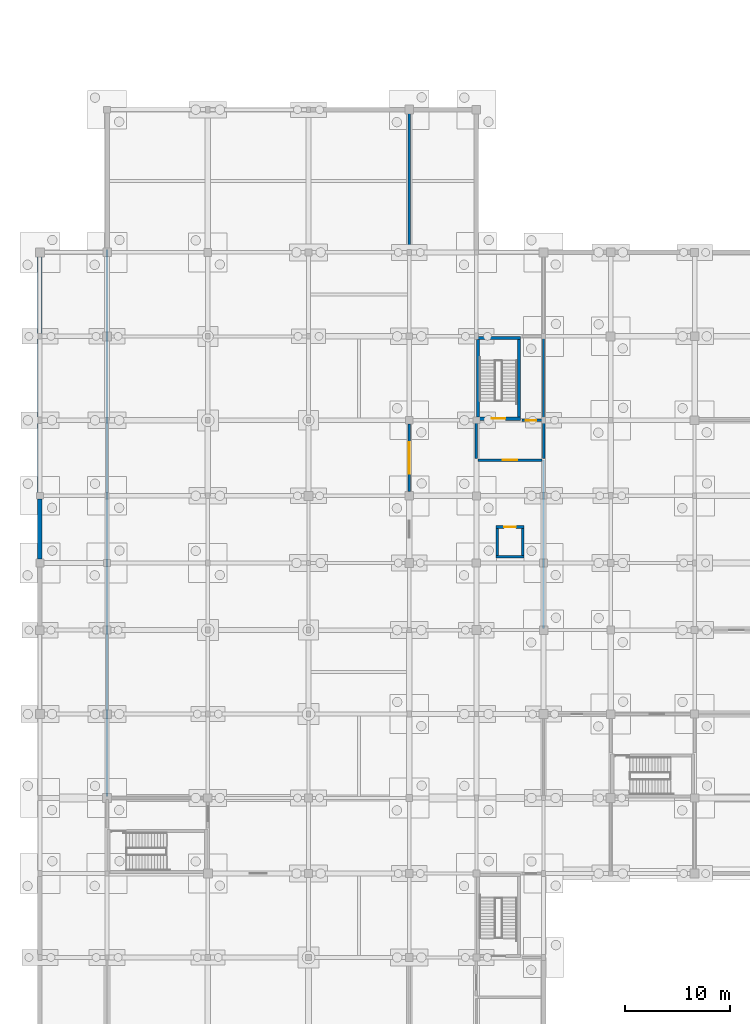
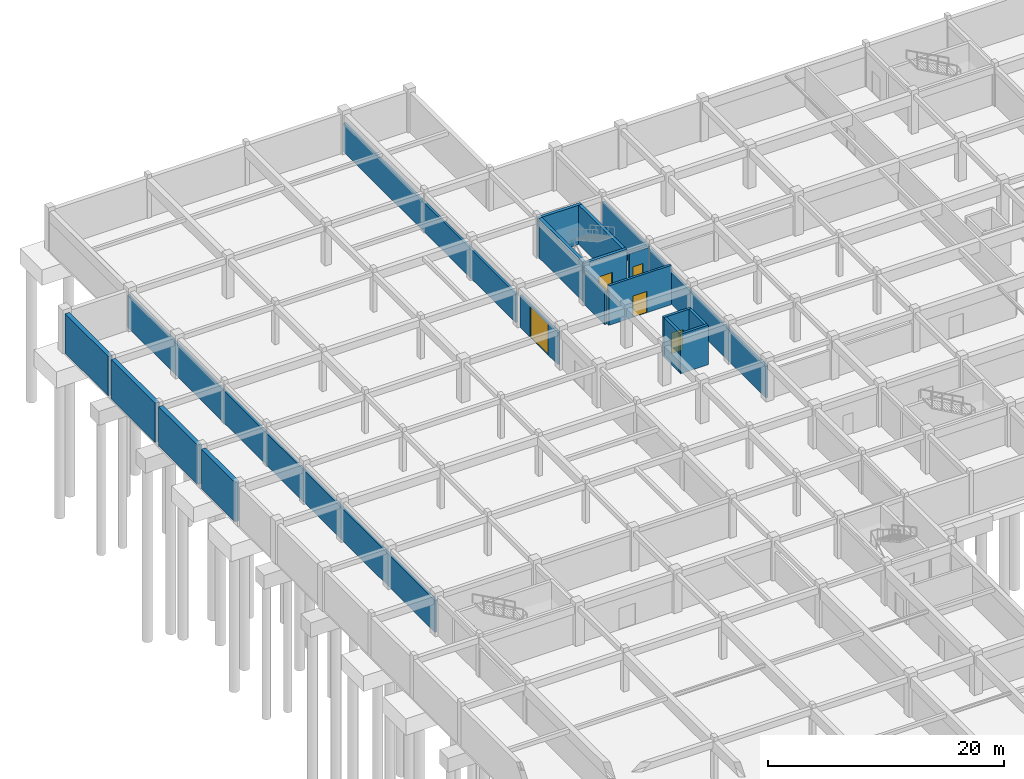
# One storey, part 20 of 28: 21 walls, 5 doors, 5 openings.
"""IFC4 building model written with IfcOpenShell, lengths in metres."""

from ifc_helpers import new_model, si_unit, direction, frame, frame_2d, origin, place, context, subcontext, project, spatial, rectangle, extrude, material, layer, layer_set, type_object, element, fill, save


model = new_model("IFC4")

# Units and contexts
model_context = context("Model", 3, precision=1e-05, world=origin(), true_north=direction((0.0, 1.0)))
body_context = subcontext(model_context, "Body", "Model", "MODEL_VIEW")
ifc_project = project(units=[si_unit("LENGTHUNIT", "METRE"), si_unit("AREAUNIT", "SQUARE_METRE"), si_unit("VOLUMEUNIT", "CUBIC_METRE"), si_unit("PLANEANGLEUNIT", "RADIAN"), si_unit("MASSUNIT", "GRAM", prefix="KILO")], contexts=[model_context])

# Site, building, storey
site_placement = place(None, origin())
site = spatial("IfcSite", under=ifc_project, at=site_placement, CompositionType="ELEMENT")
building_placement = place(site_placement, origin())
building = spatial("IfcBuilding", under=site, at=building_placement, Name="Vellmiral Cinema and Media Centre", CompositionType="ELEMENT")
storey_placement = place(building_placement, frame((0.0, 0.0, -4.5)))
storey = spatial("IfcBuildingStorey", under=building, at=storey_placement, Name="B1", CompositionType="ELEMENT", Elevation=-4.5)

# Walls
ifc_material_1 = material(Name="Concrete C30/37", Category="concrete")
ifc_layer_1 = layer(ifc_material_1, 0.419921875, Name="Concrete C30/37")
ifc_layer_set_1 = layer_set([ifc_layer_1], Name="Concrete C30/37")
wall_type_1 = type_object("IfcWallType", Name="WL-B1-RET-420", PredefinedType="SOLIDWALL", material=ifc_layer_set_1)
wall_1_placement = place(storey_placement, frame((0.0, 94.77490234375, 0.0), z_axis=(0.0, 0.0, 1.0), x_axis=(0.0, -1.0, 0.0)))
element("IfcWall", 1, at=wall_1_placement, inside=storey, type_object=wall_type_1, Name="Basement Retaining Wall B1-069", PredefinedType="SOLIDWALL", context=body_context, shape_type="SweptSolid", body=[
    extrude(rectangle(XDim=7.324951171875, YDim=0.419921875, at=frame_2d((3.66259765625, 0.0))), origin(), (0.0, 0.0, 1.0), 4.080078125),
])
wall_2_placement = place(storey_placement, frame((0.0, 86.949951171875, 0.0), z_axis=(0.0, 0.0, 1.0), x_axis=(0.0, -1.0, 0.0)))
element("IfcWall", 2, at=wall_2_placement, inside=storey, type_object=wall_type_1, Name="Basement Retaining Wall B1-070", PredefinedType="SOLIDWALL", context=body_context, shape_type="SweptSolid", body=[
    extrude(rectangle(XDim=7.449951171875, YDim=0.419921875, at=frame_2d((3.72509765625, 0.0))), origin(), (0.0, 0.0, 1.0), 4.080078125),
])
wall_3_placement = place(storey_placement, frame((0.0, 78.89990234375, 0.0), z_axis=(0.0, 0.0, 1.0), x_axis=(0.0, -1.0, 0.0)))
element("IfcWall", 3, at=wall_3_placement, inside=storey, type_object=wall_type_1, Name="Basement Retaining Wall B1-071", PredefinedType="SOLIDWALL", context=body_context, shape_type="SweptSolid", body=[
    extrude(rectangle(XDim=6.574951171875, YDim=0.419921875, at=frame_2d((3.28759765625, 0.0))), origin(), (0.0, 0.0, 1.0), 4.080078125),
])
wall_4_placement = place(storey_placement, frame((0.0, 71.675048828125, 0.0), z_axis=(0.0, 0.0, 1.0), x_axis=(0.0, -1.0, 0.0)))
element("IfcWall", 4, at=wall_4_placement, inside=storey, type_object=wall_type_1, Name="Basement Retaining Wall B1-072", PredefinedType="SOLIDWALL", context=body_context, shape_type="SweptSolid", body=[
    extrude(rectangle(XDim=5.699951171875, YDim=0.419921875, at=frame_2d((2.85009765625, 0.0))), origin(), (0.0, 0.0, 1.0), 4.080078125),
])
ifc_material_2 = material(Name="Concrete C40/50", Category="concrete")
ifc_layer_2 = layer(ifc_material_2, 0.2099609375, Name="Concrete C40/50")
ifc_layer_set_2 = layer_set([ifc_layer_2], Name="Concrete C40/50")
wall_type_2 = type_object("IfcWallType", Name="WL-COMP-210", PredefinedType="SOLIDWALL", material=ifc_layer_set_2)
wall_5_placement = place(storey_placement, frame((48.0, 79.340087890625, 0.0), z_axis=(0.0, 0.0, 1.0), x_axis=(0.0, 1.0, 0.0)))
element("IfcWall", 5, at=wall_5_placement, inside=storey, type_object=wall_type_2, Name="North-West Core Smoke Riser Room Wall E", PredefinedType="SOLIDWALL", context=body_context, shape_type="SweptSolid", body=[
    extrude(rectangle(XDim=7.719970703125, YDim=0.2099609375, at=frame_2d((3.85986328125, 0.0))), origin(), (0.0, 0.0, 1.0), 3.52490234375),
])
wall_6_placement = place(storey_placement, frame((6.39990234375, 43.340087890625, 0.0), z_axis=(0.0, 0.0, 1.0), x_axis=(0.0, 1.0, 0.0)))
element("IfcWall", 6, at=wall_6_placement, inside=storey, type_object=wall_type_2, Name="Car Park Drive Aisle North-West Wall W", PredefinedType="SOLIDWALL", context=body_context, shape_type="SweptSolid", body=[
    extrude(rectangle(XDim=52.119873046875, YDim=0.2099609375, at=frame_2d((26.06005859375, 0.0))), origin(), (0.0, 0.0, 1.0), 3.324951171875),
])
wall_7_placement = place(storey_placement, frame((48.0, 59.340087890625, 0.0), z_axis=(0.0, 0.0, 1.0), x_axis=(0.0, 1.0, 0.0)))
element("IfcWall", 7, at=wall_7_placement, inside=storey, type_object=wall_type_2, Name="Climate-Controlled Film Archive Vault Wall W", PredefinedType="SOLIDWALL", context=body_context, shape_type="SweptSolid", body=[
    extrude(rectangle(XDim=16.059814453125, YDim=0.2099609375, at=frame_2d((8.02978515625, 0.0))), origin(), (0.0, 0.0, 1.0), 3.27490234375),
])

# Wall, opening, door
wall_8_placement = place(storey_placement, frame((35.199951171875, 72.39990234375, 0.0), z_axis=(0.0, 0.0, 1.0), x_axis=(0.0, 1.0, 0.0)))
wall_8 = element("IfcWall", 8, at=wall_8_placement, inside=storey, type_object=wall_type_2, Name="Car Park Drive Aisle North-West Wall E", PredefinedType="SOLIDWALL", context=body_context, shape_type="SweptSolid", body=[
    extrude(rectangle(XDim=6.425048828125, YDim=0.2099609375, at=frame_2d((3.21240234375, 0.0))), origin(), (0.0, 0.0, 1.0), 3.324951171875),
])
opening_1_placement = place(wall_8_placement, frame((1.699951171875, 0.0, 0.0)))
opening_1 = element("IfcOpeningElement", 9, at=opening_1_placement, cuts=wall_8, Name="Opening DG-01", PredefinedType="OPENING", context=body_context, shape_type="SweptSolid", body=[
    extrude(rectangle(XDim=3.0, YDim=3.199951171875, at=frame_2d((1.5, 1.60009765625))), frame((0.0, 0.116943359375, 0.0), z_axis=(0.0, -1.0, 0.0), x_axis=(1.0, 0.0, 0.0)), (0.0, 0.0, 1.0), 0.23388671875),
])
ifc_material_3 = material(Name="Thermally Broken Glazed Aluminium and Bronze Door", Category="aluminium")
door_type_1 = type_object("IfcDoorType", Name="DR-DOCK-3000x3200", OperationType="ROLLINGUP", PredefinedType="GATE", material=ifc_material_3)
door_1_placement = place(opening_1_placement, frame((3.0, 0.0, 0.0), z_axis=(0.0, 0.0, 1.0), x_axis=(-1.0, 0.0, 0.0)))
door_1 = element("IfcDoor", 10, at=door_1_placement, inside=storey, type_object=door_type_1, Name="Basement Vehicle Car Park Entry Gate", OperationType="ROLLINGUP", OverallHeight=3.199951171875, OverallWidth=3.0, PredefinedType="GATE", context=body_context, shape_type="SweptSolid", body=[
    extrude(rectangle(XDim=3.0, YDim=3.199951171875, at=frame_2d((1.5, 1.60009765625))), frame((0.0, 0.02490234375, 0.0), z_axis=(0.0, -1.0, 0.0), x_axis=(1.0, 0.0, 0.0)), (0.0, 0.0, 1.0), 0.050048828125),
])
fill(opening_1, door_1)

# Wall
wall_9_placement = place(storey_placement, frame((35.199951171875, 79.574951171875, 0.0), z_axis=(0.0, 0.0, 1.0), x_axis=(0.0, 1.0, 0.0)))
element("IfcWall", 11, at=wall_9_placement, inside=storey, type_object=wall_type_2, Name="Car Park Drive Aisle North-West Wall E", PredefinedType="SOLIDWALL", context=body_context, shape_type="SweptSolid", body=[
    extrude(rectangle(XDim=29.1201171875, YDim=0.2099609375, at=frame_2d((14.56005859375, 0.0))), origin(), (0.0, 0.0, 1.0), 3.02490234375),
])

# Wall, opening, door
ifc_material_4 = material(Name="Concrete C40/50", Category="concrete")
ifc_layer_3 = layer(ifc_material_4, 0.300048828125, Name="Concrete C40/50")
ifc_layer_set_3 = layer_set([ifc_layer_3], Name="Concrete C40/50")
wall_type_3 = type_object("IfcWallType", Name="WL-CORE-300", PredefinedType="SHEAR", material=ifc_layer_set_3)
wall_10_placement = place(storey_placement, frame((41.60009765625, 79.35009765625, 0.0), z_axis=(0.0, 0.0, 1.0), x_axis=(1.0, 0.0, 0.0)))
wall_10 = element("IfcWall", 12, at=wall_10_placement, inside=storey, type_object=wall_type_3, Name="Stair Core Wall ST-P2 B1-S", PredefinedType="SHEAR", context=body_context, shape_type="SweptSolid", body=[
    extrude(rectangle(XDim=4.199951171875, YDim=0.300048828125, at=frame_2d((2.10009765625, 0.0))), origin(), (0.0, 0.0, 1.0), 4.080078125),
])
opening_2_placement = place(wall_10_placement, frame((1.449951171875, 0.0, 0.0)))
opening_2 = element("IfcOpeningElement", 13, at=opening_2_placement, cuts=wall_10, Name="Opening D-FD30A", PredefinedType="OPENING", context=body_context, shape_type="SweptSolid", body=[
    extrude(rectangle(XDim=1.300048828125, YDim=2.179931640625, at=frame_2d((0.64990234375, 1.08984375))), frame((0.0, 0.162109375, 0.0), z_axis=(0.0, -1.0, 0.0), x_axis=(1.0, 0.0, 0.0)), (0.0, 0.0, 1.0), 0.323974609375),
])
ifc_material_5 = material(Name="Steel Stair Fire Door", Category="steel")
door_type_2 = type_object("IfcDoorType", Name="DR-FD30-1300x2180", OperationType="NOTDEFINED", PredefinedType="DOOR", material=ifc_material_5)
door_2_placement = place(opening_2_placement, origin())
door_2 = element("IfcDoor", 14, at=door_2_placement, inside=storey, type_object=door_type_2, Name="Protected Stair Door ST-P2 B1", OperationType="SINGLE_SWING_LEFT", OverallHeight=2.179931640625, OverallWidth=1.300048828125, PredefinedType="DOOR", context=body_context, shape_type="SweptSolid", body=[
    extrude(rectangle(XDim=1.300048828125, YDim=2.179931640625, at=frame_2d((0.64990234375, 1.08984375))), frame((0.0, 0.02490234375, 0.0), z_axis=(0.0, -1.0, 0.0), x_axis=(1.0, 0.0, 0.0)), (0.0, 0.0, 1.0), 0.050048828125),
])
fill(opening_2, door_2)

# Walls
wall_11_placement = place(storey_placement, frame((41.60009765625, 87.050048828125, 0.0), z_axis=(0.0, 0.0, 1.0), x_axis=(1.0, 0.0, 0.0)))
element("IfcWall", 15, at=wall_11_placement, inside=storey, type_object=wall_type_3, Name="Stair Core Wall ST-P2 B1-N", PredefinedType="SHEAR", context=body_context, shape_type="SweptSolid", body=[
    extrude(rectangle(XDim=4.199951171875, YDim=0.300048828125, at=frame_2d((2.10009765625, 0.0))), origin(), (0.0, 0.0, 1.0), 4.080078125),
])
for number, where, z_axis, x_axis, name in (
    (16, (41.75, 79.5, 0.0), (0.0, 0.0, 1.0), (0.0, 1.0, 0.0), "Stair Core Wall ST-P2 B1-W"),
    (17, (45.64990234375, 79.5, 0.0), (0.0, 0.0, 1.0), (0.0, 1.0, 0.0), "Stair Core Wall ST-P2 B1-E"),
):
    element("IfcWall", number, at=place(storey_placement, frame(where, z_axis=z_axis, x_axis=x_axis)), inside=storey, type_object=wall_type_3, Name=name, PredefinedType="SHEAR", context=body_context, shape_type="SweptSolid", body=[
        extrude(rectangle(XDim=7.39990234375, YDim=0.300048828125, at=frame_2d((3.699951171875, 0.0))), origin(), (0.0, 0.0, 1.0), 4.080078125),
    ])

# Wall, opening, door
ifc_material_6 = material(Name="Concrete C40/50", Category="concrete")
ifc_layer_4 = layer(ifc_material_6, 0.22998046875, Name="Concrete C40/50")
ifc_layer_set_4 = layer_set([ifc_layer_4], Name="Concrete C40/50")
wall_type_4 = type_object("IfcWallType", Name="WL-FFL-230", PredefinedType="SOLIDWALL", material=ifc_layer_set_4)
wall_12_placement = place(storey_placement, frame((41.739990234375, 75.39990234375, 0.0), z_axis=(0.0, 0.0, 1.0), x_axis=(1.0, 0.0, 0.0)))
wall_12 = element("IfcWall", 18, at=wall_12_placement, inside=storey, type_object=wall_type_4, Name="Firefighting Stair Lobby ST-P2 Wall S", PredefinedType="SOLIDWALL", context=body_context, shape_type="SweptSolid", body=[
    extrude(rectangle(XDim=6.1201171875, YDim=0.22998046875, at=frame_2d((3.06005859375, 0.0))), origin(), (0.0, 0.0, 1.0), 4.080078125),
])
opening_3_placement = place(wall_12_placement, frame((2.360107421875, 0.0, 0.0)))
opening_3 = element("IfcOpeningElement", 19, at=opening_3_placement, cuts=wall_12, Name="Opening D-FD60B", PredefinedType="OPENING", context=body_context, shape_type="SweptSolid", body=[
    extrude(rectangle(XDim=1.39990234375, YDim=2.199951171875, at=frame_2d((0.699951171875, 1.10009765625))), frame((0.0, 0.126953125, 0.0), z_axis=(0.0, -1.0, 0.0), x_axis=(1.0, 0.0, 0.0)), (0.0, 0.0, 1.0), 0.25390625),
])
ifc_material_7 = material(Name="Steel Fire Door", Category="steel")
door_type_3 = type_object("IfcDoorType", Name="DR-FD60-1400x2200", OperationType="NOTDEFINED", PredefinedType="DOOR", material=ifc_material_7)
door_3_placement = place(opening_3_placement, origin())
door_3 = element("IfcDoor", 20, at=door_3_placement, inside=storey, type_object=door_type_3, Name="Firefighting Stair Lobby ST-P2 Door", OperationType="SINGLE_SWING_LEFT", OverallHeight=2.199951171875, OverallWidth=1.39990234375, PredefinedType="DOOR", context=body_context, shape_type="SweptSolid", body=[
    extrude(rectangle(XDim=1.39990234375, YDim=2.199951171875, at=frame_2d((0.699951171875, 1.10009765625))), frame((0.0, 0.02490234375, 0.0), z_axis=(0.0, -1.0, 0.0), x_axis=(1.0, 0.0, 0.0)), (0.0, 0.0, 1.0), 0.050048828125),
])
fill(opening_3, door_3)

wall_13_placement = place(storey_placement, frame((45.93994140625, 79.199951171875, 0.0), z_axis=(0.0, 0.0, 1.0), x_axis=(1.0, 0.0, 0.0)))
wall_13 = element("IfcWall", 21, at=wall_13_placement, inside=storey, type_object=wall_type_4, Name="Firefighting Stair Lobby ST-P2 Wall N", PredefinedType="SOLIDWALL", context=body_context, shape_type="SweptSolid", body=[
    extrude(rectangle(XDim=1.920166015625, YDim=0.22998046875, at=frame_2d((0.9599609375, 0.0))), origin(), (0.0, 0.0, 1.0), 3.625),
])
opening_4_placement = place(wall_13_placement, frame((0.360107421875, 0.0, 0.0)))
opening_4 = element("IfcOpeningElement", 22, at=opening_4_placement, cuts=wall_13, Name="Opening D-FD30B", PredefinedType="OPENING", context=body_context, shape_type="SweptSolid", body=[
    extrude(rectangle(XDim=1.0, YDim=2.14990234375, at=frame_2d((0.5, 1.074951171875))), frame((0.0, 0.126953125, 0.0), z_axis=(0.0, -1.0, 0.0), x_axis=(1.0, 0.0, 0.0)), (0.0, 0.0, 1.0), 0.25390625),
])
ifc_material_8 = material(Name="Steel Riser Fire Door", Category="steel")
door_type_4 = type_object("IfcDoorType", Name="DR-FD30-1000x2150", OperationType="NOTDEFINED", PredefinedType="DOOR", material=ifc_material_8)
door_4_placement = place(opening_4_placement, origin())
door_4 = element("IfcDoor", 23, at=door_4_placement, inside=storey, type_object=door_type_4, Name="North-West Core Smoke Riser Room Door", OperationType="SINGLE_SWING_LEFT", OverallHeight=2.14990234375, OverallWidth=1.0, PredefinedType="DOOR", context=body_context, shape_type="SweptSolid", body=[
    extrude(rectangle(XDim=1.0, YDim=2.14990234375, at=frame_2d((0.5, 1.074951171875))), frame((0.0, 0.02490234375, 0.0), z_axis=(0.0, -1.0, 0.0), x_axis=(1.0, 0.0, 0.0)), (0.0, 0.0, 1.0), 0.050048828125),
])
fill(opening_4, door_4)

# Walls
wall_14_placement = place(storey_placement, frame((41.60009765625, 75.5400390625, 0.0), z_axis=(0.0, 0.0, 1.0), x_axis=(0.0, 1.0, 0.0)))
element("IfcWall", 24, at=wall_14_placement, inside=storey, type_object=wall_type_4, Name="Firefighting Stair Lobby ST-P2 Wall W", PredefinedType="SOLIDWALL", context=body_context, shape_type="SweptSolid", body=[
    extrude(rectangle(XDim=3.52001953125, YDim=0.22998046875, at=frame_2d((1.760009765625, 0.0))), origin(), (0.0, 0.0, 1.0), 3.375),
])
wall_15_placement = place(storey_placement, frame((48.0, 75.5400390625, 0.0), z_axis=(0.0, 0.0, 1.0), x_axis=(0.0, 1.0, 0.0)))
element("IfcWall", 25, at=wall_15_placement, inside=storey, type_object=wall_type_4, Name="Firefighting Stair Lobby ST-P2 Wall E", PredefinedType="SOLIDWALL", context=body_context, shape_type="SweptSolid", body=[
    extrude(rectangle(XDim=3.52001953125, YDim=0.22998046875, at=frame_2d((1.760009765625, 0.0))), origin(), (0.0, 0.0, 1.0), 3.425048828125),
])
ifc_material_9 = material(Name="Concrete C40/50", Category="concrete")
ifc_layer_5 = layer(ifc_material_9, 0.25, Name="Concrete C40/50")
ifc_layer_set_5 = layer_set([ifc_layer_5], Name="Concrete C40/50")
wall_type_5 = type_object("IfcWallType", Name="WL-SHAFT-250", PredefinedType="SHEAR", material=ifc_layer_set_5)
wall_16_placement = place(storey_placement, frame((43.449951171875, 66.175048828125, 0.0), z_axis=(0.0, 0.0, 1.0), x_axis=(1.0, 0.0, 0.0)))
element("IfcWall", 26, at=wall_16_placement, inside=storey, type_object=wall_type_5, Name="Lift Shaft Wall LF-C1 B1-S", PredefinedType="SHEAR", context=body_context, shape_type="SweptSolid", body=[
    extrude(rectangle(XDim=2.699951171875, YDim=0.25, at=frame_2d((1.35009765625, 0.0))), origin(), (0.0, 0.0, 1.0), 4.080078125),
])

# Wall, opening, door
wall_17_placement = place(storey_placement, frame((43.449951171875, 69.02490234375, 0.0), z_axis=(0.0, 0.0, 1.0), x_axis=(1.0, 0.0, 0.0)))
wall_17 = element("IfcWall", 27, at=wall_17_placement, inside=storey, type_object=wall_type_5, Name="Lift Shaft Wall LF-C1 B1-N", PredefinedType="SHEAR", context=body_context, shape_type="SweptSolid", body=[
    extrude(rectangle(XDim=2.699951171875, YDim=0.25, at=frame_2d((1.35009765625, 0.0))), origin(), (0.0, 0.0, 1.0), 4.080078125),
])
opening_5_placement = place(wall_17_placement, frame((0.800048828125, 0.0, 0.0)))
opening_5 = element("IfcOpeningElement", 28, at=opening_5_placement, cuts=wall_17, Name="Opening LD-01", PredefinedType="OPENING", context=body_context, shape_type="SweptSolid", body=[
    extrude(rectangle(XDim=1.10009765625, YDim=2.14990234375, at=frame_2d((0.550048828125, 1.074951171875))), frame((0.0, 0.136962890625, 0.0), z_axis=(0.0, -1.0, 0.0), x_axis=(1.0, 0.0, 0.0)), (0.0, 0.0, 1.0), 0.27392578125),
])
ifc_material_10 = material(Name="Stainless Steel Lift Landing Door", Category="steel")
door_type_5 = type_object("IfcDoorType", Name="DR-LIFT-1100x2150", OperationType="SLIDING_TO_LEFT", PredefinedType="DOOR", material=ifc_material_10)
door_5_placement = place(opening_5_placement, origin())
door_5 = element("IfcDoor", 29, at=door_5_placement, inside=storey, type_object=door_type_5, Name="Lift Landing Door LF-C1 B1", OperationType="SLIDING_TO_LEFT", OverallHeight=2.14990234375, OverallWidth=1.10009765625, PredefinedType="DOOR", context=body_context, shape_type="SweptSolid", body=[
    extrude(rectangle(XDim=1.10009765625, YDim=2.14990234375, at=frame_2d((0.550048828125, 1.074951171875))), frame((0.0, 0.02490234375, 0.0), z_axis=(0.0, -1.0, 0.0), x_axis=(1.0, 0.0, 0.0)), (0.0, 0.0, 1.0), 0.050048828125),
])
fill(opening_5, door_5)

# Walls
for number, where, z_axis, x_axis, name in (
    (30, (43.574951171875, 66.300048828125, 0.0), (0.0, 0.0, 1.0), (0.0, 1.0, 0.0), "Lift Shaft Wall LF-C1 B1-W"),
    (31, (46.02490234375, 66.300048828125, 0.0), (0.0, 0.0, 1.0), (0.0, 1.0, 0.0), "Lift Shaft Wall LF-C1 B1-E"),
):
    element("IfcWall", number, at=place(storey_placement, frame(where, z_axis=z_axis, x_axis=x_axis)), inside=storey, type_object=wall_type_5, Name=name, PredefinedType="SHEAR", context=body_context, shape_type="SweptSolid", body=[
        extrude(rectangle(XDim=2.599853515625, YDim=0.25, at=frame_2d((1.2998046875, 0.0))), origin(), (0.0, 0.0, 1.0), 4.080078125),
    ])

save(model, "model.ifc")
